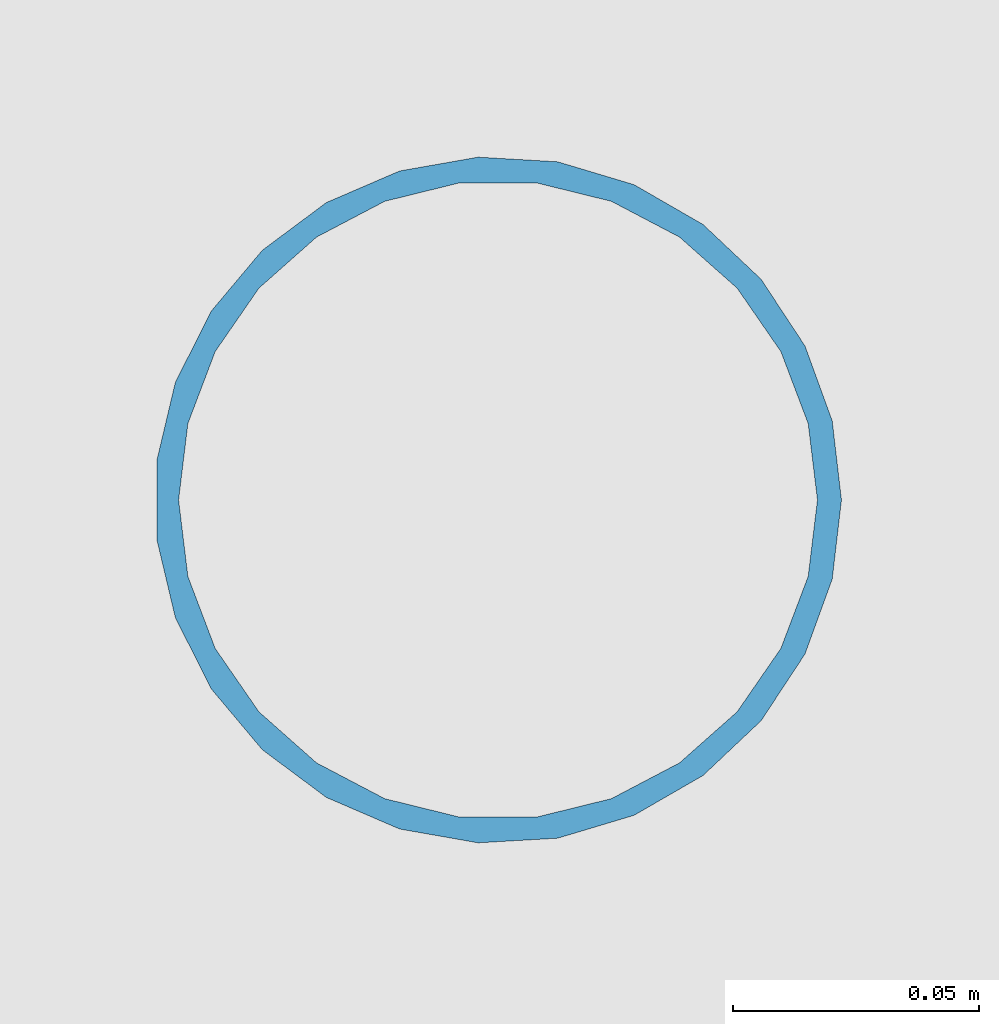
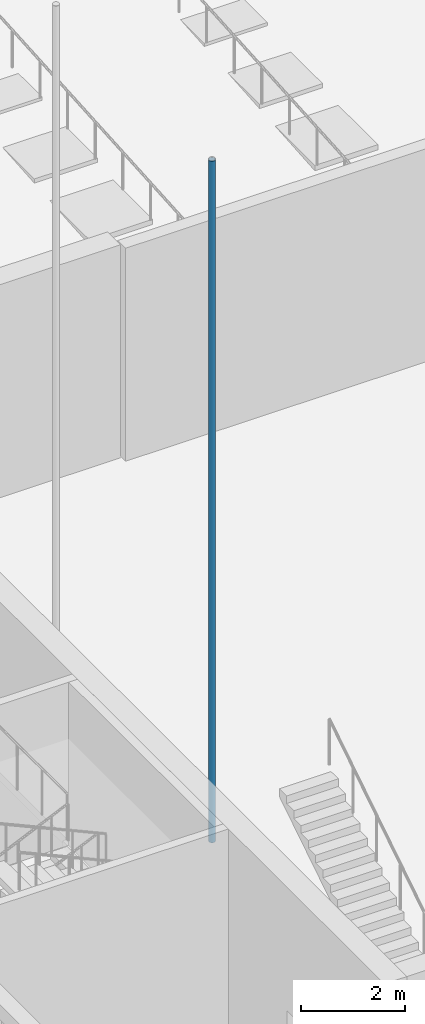
# One storey, part 8 of 80: 1 member.
"""IFC4 building model written with IfcOpenShell, lengths in metres."""

from ifc_helpers import new_model, si_unit, direction, frame, origin, origin_2d, place, context, subcontext, project, spatial, hollow_circle, extrude, material, material_profile, profile_set, type_object, element, save


model = new_model("IFC4")

# Units and contexts
model_context = context("Model", 3, precision=1e-05, world=origin(), true_north=direction((0.0, 1.0)))
body_context = subcontext(model_context, "Body", "Model", "MODEL_VIEW")
ifc_project = project(units=[si_unit("LENGTHUNIT", "METRE"), si_unit("AREAUNIT", "SQUARE_METRE"), si_unit("VOLUMEUNIT", "CUBIC_METRE"), si_unit("PLANEANGLEUNIT", "RADIAN"), si_unit("MASSUNIT", "GRAM", prefix="KILO")], contexts=[model_context])

# Site, building, storey
site_placement = place(None, origin())
site = spatial("IfcSite", under=ifc_project, at=site_placement, CompositionType="ELEMENT")
building_placement = place(site_placement, origin())
building = spatial("IfcBuilding", under=site, at=building_placement, Name="Saffron Lane Theatres", CompositionType="ELEMENT")
storey_placement = place(building_placement, frame((0.0, 0.0, 7.0)))
storey = spatial("IfcBuildingStorey", under=building, at=storey_placement, Name="L01", CompositionType="ELEMENT", Elevation=7.0)

# Member
ifc_material = material(Name="Steel Grade 350", Category="steel")
ifc_material_profile = material_profile(ifc_material, hollow_circle(Radius=0.06982421875, WallThickness=0.0048828125, at=origin_2d()))
ifc_profile_set = profile_set([ifc_material_profile], Name="Steel Grade 350")
member_type = type_object("IfcMemberType", Name="ST-GUIDE POST 139.7x5.0 CHS", PredefinedType="POST", material=ifc_profile_set)
member_placement = place(storey_placement, frame((21.10009765625, 42.0, 0.0), z_axis=(0.0, 0.0, 1.0), x_axis=(1.0, 0.0, 0.0)))
element("IfcMember", 1, at=member_placement, inside=storey, type_object=member_type, Name="GR1", PredefinedType="POST", context=body_context, shape_type="SweptSolid", body=[
    extrude(hollow_circle(Radius=0.06982421875, WallThickness=0.0048828125, at=origin_2d()), origin(), (0.0, 0.0, 1.0), 16.0),
])

save(model, "model.ifc")
